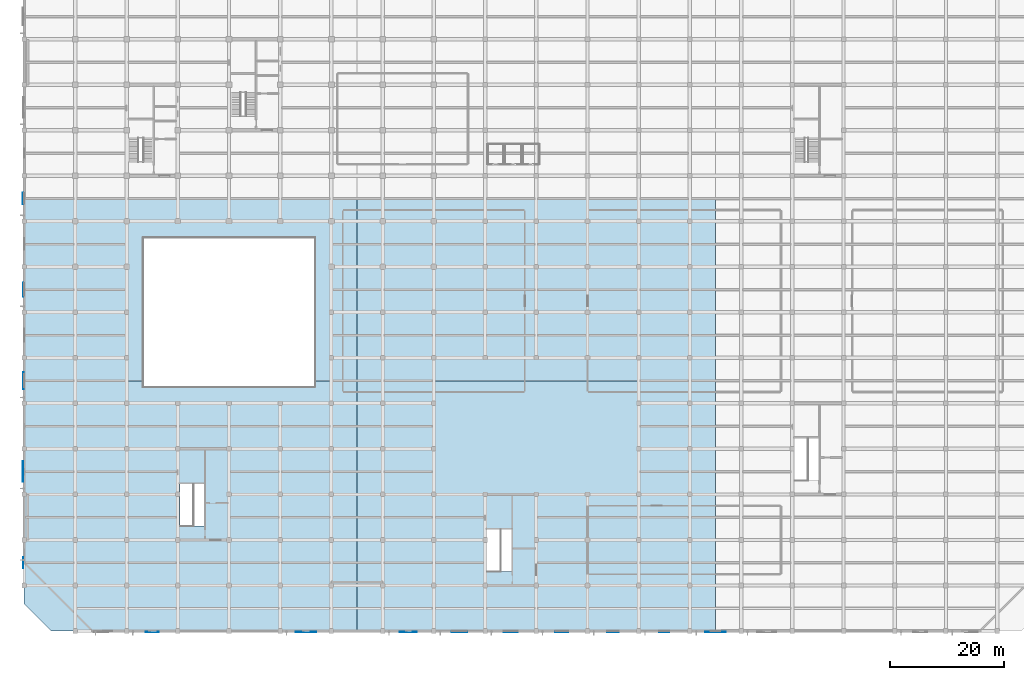
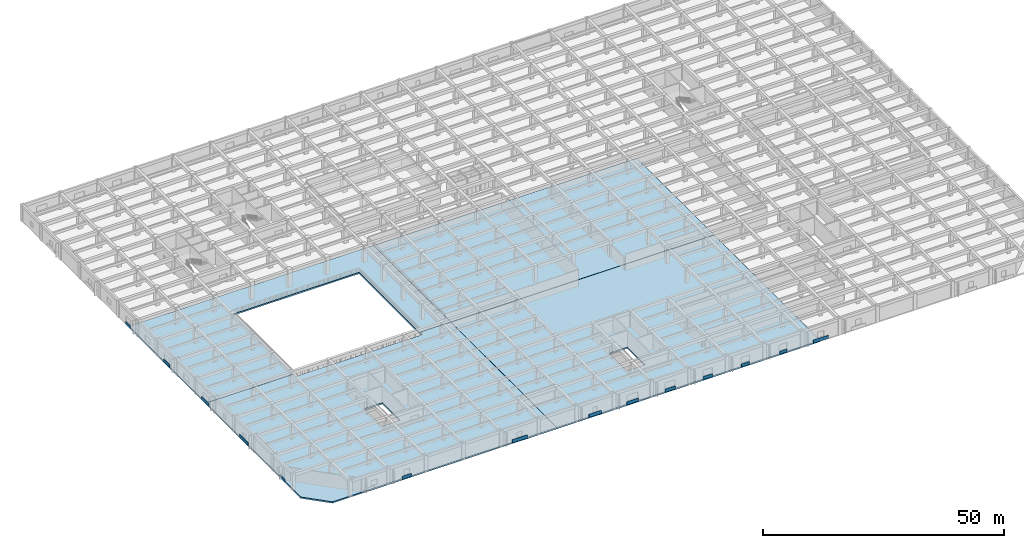
# One storey, part 6 of 32: 14 plates, 4 slabs.
"""IFC4 building model written with IfcOpenShell, lengths in metres."""

from ifc_helpers import new_model, si_unit, direction, frame, frame_2d, origin, place, context, subcontext, project, spatial, polyline, rectangle, outline, extrude, material, layer, layer_set, type_object, element, save


model = new_model("IFC4")

# Units and contexts
model_context = context("Model", 3, precision=1e-05, world=origin(), true_north=direction((0.0, 1.0)))
body_context = subcontext(model_context, "Body", "Model", "MODEL_VIEW")
ifc_project = project(units=[si_unit("LENGTHUNIT", "METRE"), si_unit("AREAUNIT", "SQUARE_METRE"), si_unit("VOLUMEUNIT", "CUBIC_METRE"), si_unit("PLANEANGLEUNIT", "RADIAN"), si_unit("MASSUNIT", "GRAM", prefix="KILO")], contexts=[model_context])

# Site, building, storey
site_placement = place(None, origin())
site = spatial("IfcSite", under=ifc_project, at=site_placement, CompositionType="ELEMENT")
building_placement = place(site_placement, origin())
building = spatial("IfcBuilding", under=site, at=building_placement, Name="Zaverband Oceanarium and Marine Research Institute", CompositionType="ELEMENT")
storey_placement = place(building_placement, frame((0.0, 0.0, 13.5)))
storey = spatial("IfcBuildingStorey", under=building, at=storey_placement, Name="L03", CompositionType="ELEMENT", Elevation=13.5)

# Plates
ifc_material_1 = material(Name="Concrete C40/50 precast ochre", Category="concrete")
ifc_layer_1 = layer(ifc_material_1, 0.070068359375, Name="Concrete C40/50 precast ochre")
ifc_layer_set_1 = layer_set([ifc_layer_1], Name="Concrete C40/50 precast ochre")
plate_type_1 = type_object("IfcPlateType", Name="FRP-1750x700", PredefinedType="USERDEFINED", material=ifc_layer_set_1)
plate_1_placement = place(storey_placement, frame((111.625, -0.152587890625, 0.0), z_axis=(0.0, 0.0, 1.0), x_axis=(1.0, 0.0, 0.0)))
element("IfcPlate", 1, at=plate_1_placement, inside=storey, type_object=plate_type_1, Name="Geometric precast facade cladding panel FRP-1750x700", ObjectType="FLANGE_PLATE", PredefinedType="USERDEFINED", context=body_context, shape_type="SweptSolid", body=[
    extrude(rectangle(XDim=1.75, YDim=0.070068359375, at=frame_2d((0.875, 0.0))), origin(), (0.0, 0.0, 1.0), 0.699951171875),
])
ifc_layer_2 = layer(ifc_material_1, 0.070068359375, Name="Concrete C40/50 precast ochre")
ifc_layer_set_2 = layer_set([ifc_layer_2], Name="Concrete C40/50 precast ochre")
plate_type_2 = type_object("IfcPlateType", Name="FRP-2000x720", PredefinedType="USERDEFINED", material=ifc_layer_set_2)
for number, where, z_axis, x_axis, name in (
    (2, (102.5, -0.1650390625, 0.0), (0.0, 0.0, 1.0), (1.0, 0.0, 0.0), "Geometric precast facade cladding panel FRP-2000x720"),
    (3, (-0.1650390625, 11.0, 0.0), (0.0, 0.0, 1.0), (0.0, 1.0, 0.0), "Geometric precast facade cladding panel FRP-2000x720"),
    (4, (-0.175048828125, 75.0, 0.0), (0.0, 0.0, 1.0), (0.0, 1.0, 0.0), "Geometric precast facade cladding panel FRP-2000x720"),
):
    element("IfcPlate", number, at=place(storey_placement, frame(where, z_axis=z_axis, x_axis=x_axis)), inside=storey, type_object=plate_type_2, Name=name, ObjectType="FLANGE_PLATE", PredefinedType="USERDEFINED", context=body_context, shape_type="SweptSolid", body=[
        extrude(rectangle(XDim=2.0, YDim=0.070068359375, at=frame_2d((1.0, 0.0))), origin(), (0.0, 0.0, 1.0), 0.719970703125),
    ])
ifc_layer_3 = layer(ifc_material_1, 0.074951171875, Name="Concrete C40/50 precast ochre")
ifc_layer_set_3 = layer_set([ifc_layer_3], Name="Concrete C40/50 precast ochre")
plate_type_3 = type_object("IfcPlateType", Name="FRP-2250x740", PredefinedType="USERDEFINED", material=ifc_layer_set_3)
for number, where, z_axis, x_axis, name in (
    (5, (21.375, -0.177490234375, 0.0), (0.0, 0.0, 1.0), (1.0, 0.0, 0.0), "Geometric precast facade cladding panel FRP-2250x740"),
    (6, (93.375, -0.177490234375, 0.0), (0.0, 0.0, 1.0), (1.0, 0.0, 0.0), "Geometric precast facade cladding panel FRP-2250x740"),
):
    element("IfcPlate", number, at=place(storey_placement, frame(where, z_axis=z_axis, x_axis=x_axis)), inside=storey, type_object=plate_type_3, Name=name, ObjectType="FLANGE_PLATE", PredefinedType="USERDEFINED", context=body_context, shape_type="SweptSolid", body=[
        extrude(rectangle(XDim=2.25, YDim=0.074951171875, at=frame_2d((1.125, 0.0))), origin(), (0.0, 0.0, 1.0), 0.739990234375),
    ])
ifc_layer_4 = layer(ifc_material_1, 0.074951171875, Name="Concrete C40/50 precast ochre")
ifc_layer_set_4 = layer_set([ifc_layer_4], Name="Concrete C40/50 precast ochre")
plate_type_4 = type_object("IfcPlateType", Name="FRP-2500x750", PredefinedType="USERDEFINED", material=ifc_layer_set_4)
for number, where, z_axis, x_axis, name in (
    (7, (84.25, -0.1923828125, 0.0), (0.0, 0.0, 1.0), (1.0, 0.0, 0.0), "Geometric precast facade cladding panel FRP-2500x750"),
    (8, (-0.16748046875, 58.75, 0.0), (0.0, 0.0, 1.0), (0.0, 1.0, 0.0), "Geometric precast facade cladding panel FRP-2500x750"),
):
    element("IfcPlate", number, at=place(storey_placement, frame(where, z_axis=z_axis, x_axis=x_axis)), inside=storey, type_object=plate_type_4, Name=name, ObjectType="FLANGE_PLATE", PredefinedType="USERDEFINED", context=body_context, shape_type="SweptSolid", body=[
        extrude(rectangle(XDim=2.5, YDim=0.074951171875, at=frame_2d((1.25, 0.0))), origin(), (0.0, 0.0, 1.0), 0.75),
    ])
ifc_layer_5 = layer(ifc_material_1, 0.080078125, Name="Concrete C40/50 precast ochre")
ifc_layer_set_5 = layer_set([ifc_layer_5], Name="Concrete C40/50 precast ochre")
plate_type_5 = type_object("IfcPlateType", Name="FRP-2750x760", PredefinedType="USERDEFINED", material=ifc_layer_set_5)
plate_2_placement = place(storey_placement, frame((75.125, -0.157470703125, 0.0), z_axis=(0.0, 0.0, 1.0), x_axis=(1.0, 0.0, 0.0)))
element("IfcPlate", 9, at=plate_2_placement, inside=storey, type_object=plate_type_5, Name="Geometric precast facade cladding panel FRP-2750x760", ObjectType="FLANGE_PLATE", PredefinedType="USERDEFINED", context=body_context, shape_type="SweptSolid", body=[
    extrude(rectangle(XDim=2.75, YDim=0.080078125, at=frame_2d((1.375, 0.0))), origin(), (0.0, 0.0, 1.0), 0.760009765625),
])
ifc_layer_6 = layer(ifc_material_1, 0.080078125, Name="Concrete C40/50 precast ochre")
ifc_layer_set_6 = layer_set([ifc_layer_6], Name="Concrete C40/50 precast ochre")
plate_type_6 = type_object("IfcPlateType", Name="FRP-3000x780", PredefinedType="USERDEFINED", material=ifc_layer_set_6)
for number, where, z_axis, x_axis, name in (
    (10, (66.0, -0.169921875, 0.0), (0.0, 0.0, 1.0), (1.0, 0.0, 0.0), "Geometric precast facade cladding panel FRP-3000x780"),
    (11, (-0.157470703125, 42.5, 0.0), (0.0, 0.0, 1.0), (0.0, 1.0, 0.0), "Geometric precast facade cladding panel FRP-3000x780"),
):
    element("IfcPlate", number, at=place(storey_placement, frame(where, z_axis=z_axis, x_axis=x_axis)), inside=storey, type_object=plate_type_6, Name=name, ObjectType="FLANGE_PLATE", PredefinedType="USERDEFINED", context=body_context, shape_type="SweptSolid", body=[
        extrude(rectangle(XDim=3.0, YDim=0.080078125, at=frame_2d((1.5, 0.0))), origin(), (0.0, 0.0, 1.0), 0.780029296875),
    ])
ifc_layer_7 = layer(ifc_material_1, 0.0849609375, Name="Concrete C40/50 precast ochre")
ifc_layer_set_7 = layer_set([ifc_layer_7], Name="Concrete C40/50 precast ochre")
plate_type_7 = type_object("IfcPlateType", Name="FRP-3600x800", PredefinedType="USERDEFINED", material=ifc_layer_set_7)
for number, where, z_axis, x_axis, name in (
    (12, (47.699951171875, -0.197509765625, 0.0), (0.0, 0.0, 1.0), (1.0, 0.0, 0.0), "Geometric precast facade cladding panel FRP-3600x800"),
    (13, (119.699951171875, -0.197509765625, 0.0), (0.0, 0.0, 1.0), (1.0, 0.0, 0.0), "Geometric precast facade cladding panel FRP-3600x800"),
    (14, (-0.1826171875, 26.199951171875, 0.0), (0.0, 0.0, 1.0), (0.0, 1.0, 0.0), "Geometric precast facade cladding panel FRP-3600x800"),
):
    element("IfcPlate", number, at=place(storey_placement, frame(where, z_axis=z_axis, x_axis=x_axis)), inside=storey, type_object=plate_type_7, Name=name, ObjectType="FLANGE_PLATE", PredefinedType="USERDEFINED", context=body_context, shape_type="SweptSolid", body=[
        extrude(rectangle(XDim=3.60009765625, YDim=0.0849609375, at=frame_2d((1.800048828125, 0.0))), origin(), (0.0, 0.0, 1.0), 0.800048828125),
    ])

# Slabs
ifc_material_2 = material(Name="Concrete C40/50", Category="concrete")
ifc_layer_8 = layer(ifc_material_2, 0.360107421875, Name="Concrete C40/50")
ifc_layer_set_8 = layer_set([ifc_layer_8], Name="Concrete C40/50")
slab_type = type_object("IfcSlabType", Name="SLB-LSS-360", PredefinedType="FLOOR", material=ifc_layer_set_8)
slab_1_placement = place(storey_placement, frame((0.0, 0.0, -0.360107421875)))
element("IfcSlab", 15, at=slab_1_placement, inside=storey, type_object=slab_type, Name="Suspended floor slab SLB-LSS-360", PredefinedType="FLOOR", context=body_context, shape_type="SweptSolid", body=[
    extrude(outline(polyline([(58.485107421875, 43.985107421875), (58.485107421875, 0.0), (4.800048828125, 0.0), (0.0, 4.800048828125), (0.0, 43.985107421875), (21.0, 43.985107421875), (21.0, 43.0), (51.0, 43.0), (51.0, 43.985107421875), (58.485107421875, 43.985107421875)]), holes=[polyline([(31.64990234375, 25.85009765625), (27.35009765625, 25.85009765625), (27.35009765625, 18.5), (31.64990234375, 18.5), (31.64990234375, 25.85009765625)])]), origin(), (0.0, 0.0, 1.0), 0.360107421875),
])
slab_2_placement = place(storey_placement, frame((0.0, 0.0, -0.360107421875)))
element("IfcSlab", 16, at=slab_2_placement, inside=storey, type_object=slab_type, Name="Suspended floor slab SLB-LSS-360", PredefinedType="FLOOR", context=body_context, shape_type="SweptSolid", body=[
    extrude(outline(polyline([(58.514892578125, 43.985107421875), (121.485107421875, 43.985107421875), (121.485107421875, 0.0), (58.514892578125, 0.0), (58.514892578125, 43.985107421875)]), holes=[polyline([(81.35009765625, 17.85009765625), (81.35009765625, 10.5), (85.64990234375, 10.5), (85.64990234375, 17.85009765625), (81.35009765625, 17.85009765625)])]), origin(), (0.0, 0.0, 1.0), 0.360107421875),
])
slab_3_placement = place(storey_placement, frame((0.0, 0.0, -0.360107421875)))
element("IfcSlab", 17, at=slab_3_placement, inside=storey, type_object=slab_type, Name="Suspended floor slab SLB-LSS-360", PredefinedType="FLOOR", context=body_context, shape_type="SweptSolid", body=[
    extrude(outline(polyline([(0.0, 44.014892578125), (0.0, 75.985107421875), (58.485107421875, 75.985107421875), (58.485107421875, 44.014892578125), (51.0, 44.014892578125), (51.0, 69.0), (21.0, 69.0), (21.0, 44.014892578125), (0.0, 44.014892578125)])), origin(), (0.0, 0.0, 1.0), 0.360107421875),
])
slab_4_placement = place(storey_placement, frame((0.0, 0.0, -0.360107421875)))
element("IfcSlab", 18, at=slab_4_placement, inside=storey, type_object=slab_type, Name="Suspended floor slab SLB-LSS-360", PredefinedType="FLOOR", context=body_context, shape_type="SweptSolid", body=[
    extrude(outline(polyline([(58.514892578125, 75.985107421875), (121.485107421875, 75.985107421875), (121.485107421875, 44.014892578125), (58.514892578125, 44.014892578125), (58.514892578125, 75.985107421875)])), origin(), (0.0, 0.0, 1.0), 0.360107421875),
])

save(model, "model.ifc")
